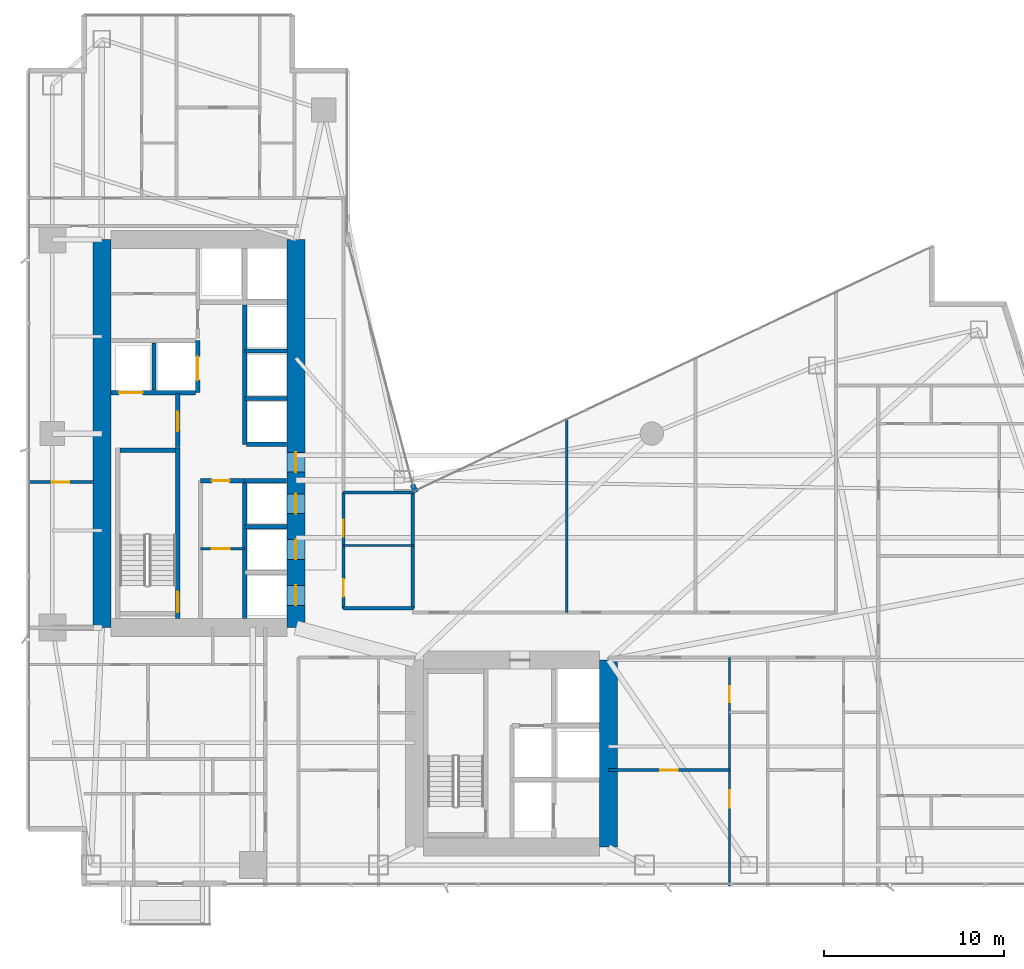
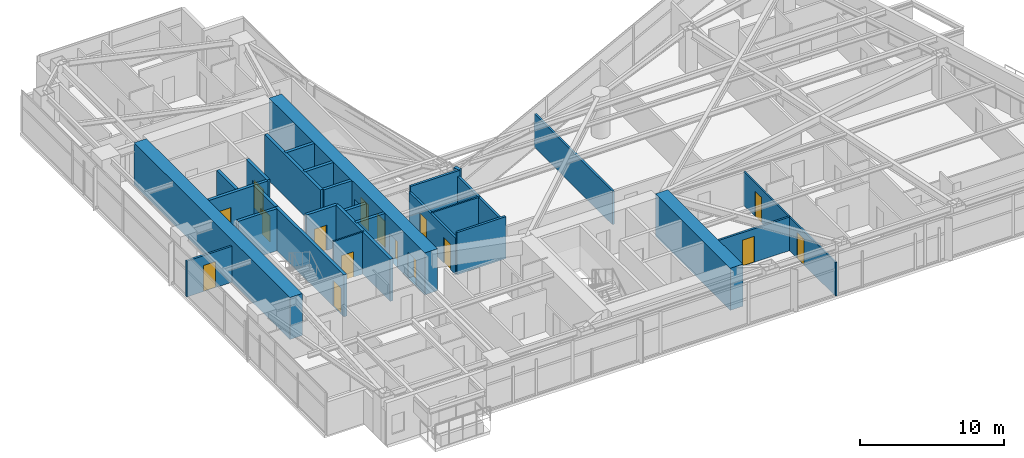
# One storey, part 23 of 29: 28 walls, 16 doors, 16 openings.
"""IFC4 building model written with IfcOpenShell, lengths in metres."""

from ifc_helpers import new_model, si_unit, direction, frame, frame_2d, origin, place, context, subcontext, project, spatial, rectangle, extrude, material, layer, layer_set, type_object, element, fill, save


model = new_model("IFC4")

# Units and contexts
model_context = context("Model", 3, precision=1e-05, world=origin(), true_north=direction((0.0, 1.0)))
body_context = subcontext(model_context, "Body", "Model", "MODEL_VIEW")
ifc_project = project(units=[si_unit("LENGTHUNIT", "METRE"), si_unit("AREAUNIT", "SQUARE_METRE"), si_unit("VOLUMEUNIT", "CUBIC_METRE"), si_unit("PLANEANGLEUNIT", "RADIAN"), si_unit("MASSUNIT", "GRAM", prefix="KILO")], contexts=[model_context])

# Site, building, storey
site_placement = place(None, origin())
site = spatial("IfcSite", under=ifc_project, at=site_placement, CompositionType="ELEMENT")
building_placement = place(site_placement, origin())
building = spatial("IfcBuilding", under=site, at=building_placement, Name="Calvorn Quay Hotel", CompositionType="ELEMENT")
storey_placement = place(building_placement, frame((0.0, 0.0, 38.39990234375)))
storey = spatial("IfcBuildingStorey", under=building, at=storey_placement, Name="L08", CompositionType="ELEMENT", Elevation=38.39990234375)

# Wall
ifc_material_1 = material(Name="Concrete C60", Category="concrete")
ifc_layer_1 = layer(ifc_material_1, 1.0)
ifc_layer_set_1 = layer_set([ifc_layer_1], Name="WL-CORE-1000")
wall_type_1 = type_object("IfcWallType", Name="WL-CORE-1000", PredefinedType="SHEAR", material=ifc_layer_set_1)
wall_1_placement = place(storey_placement, frame((4.199951171875, 16.800048828125, 0.0), z_axis=(0.0, 0.0, 1.0), x_axis=(0.0, 1.0, 0.0)))
element("IfcWall", 1, at=wall_1_placement, inside=storey, type_object=wall_type_1, Name="West Core Shear Wall W (L08)", PredefinedType="SHEAR", context=body_context, shape_type="SweptSolid", body=[
    extrude(rectangle(XDim=21.599853515625, YDim=1.0, at=frame_2d((10.7998046875, 0.0))), origin(), (0.0, 0.0, 1.0), 3.56005859375),
])

# Wall, openings, doors
wall_2_placement = place(storey_placement, frame((15.0, 16.800048828125, 0.0), z_axis=(0.0, 0.0, 1.0), x_axis=(0.0, 1.0, 0.0)))
wall_2 = element("IfcWall", 2, at=wall_2_placement, inside=storey, type_object=wall_type_1, Name="West Core Shear Wall E (L08)", PredefinedType="SHEAR", context=body_context, shape_type="SweptSolid", body=[
    extrude(rectangle(XDim=21.599853515625, YDim=1.0, at=frame_2d((10.7998046875, 0.0))), origin(), (0.0, 0.0, 1.0), 3.56005859375),
])
opening_1_placement = place(wall_2_placement, frame((8.64990234375, 0.0, 0.0)))
opening_1 = element("IfcOpeningElement", 3, at=opening_1_placement, cuts=wall_2, Name="Opening D-L08-CW1", PredefinedType="OPENING", context=body_context, shape_type="SweptSolid", body=[
    extrude(rectangle(XDim=1.10009765625, YDim=2.199951171875, at=frame_2d((0.550048828125, 1.10009765625))), frame((0.0, 0.510009765625, 0.0), z_axis=(0.0, -1.0, 0.0), x_axis=(1.0, 0.0, 0.0)), (0.0, 0.0, 1.0), 1.02001953125),
])
opening_2_placement = place(wall_2_placement, frame((1.25, 0.0, 0.0)))
opening_2 = element("IfcOpeningElement", 4, at=opening_2_placement, cuts=wall_2, Name="Opening LD-L08-L1", PredefinedType="OPENING", context=body_context, shape_type="SweptSolid", body=[
    extrude(rectangle(XDim=1.10009765625, YDim=2.199951171875, at=frame_2d((0.550048828125, 1.10009765625))), frame((0.0, 0.510009765625, 0.0), z_axis=(0.0, -1.0, 0.0), x_axis=(1.0, 0.0, 0.0)), (0.0, 0.0, 1.0), 1.02001953125),
])
opening_3_placement = place(wall_2_placement, frame((3.800048828125, 0.0, 0.0)))
opening_3 = element("IfcOpeningElement", 5, at=opening_3_placement, cuts=wall_2, Name="Opening LD-L08-L2", PredefinedType="OPENING", context=body_context, shape_type="SweptSolid", body=[
    extrude(rectangle(XDim=1.10009765625, YDim=2.199951171875, at=frame_2d((0.550048828125, 1.10009765625))), frame((0.0, 0.510009765625, 0.0), z_axis=(0.0, -1.0, 0.0), x_axis=(1.0, 0.0, 0.0)), (0.0, 0.0, 1.0), 1.02001953125),
])
opening_4_placement = place(wall_2_placement, frame((6.35009765625, 0.0, 0.0)))
opening_4 = element("IfcOpeningElement", 6, at=opening_4_placement, cuts=wall_2, Name="Opening LD-L08-L3", PredefinedType="OPENING", context=body_context, shape_type="SweptSolid", body=[
    extrude(rectangle(XDim=1.10009765625, YDim=2.199951171875, at=frame_2d((0.550048828125, 1.10009765625))), frame((0.0, 0.510009765625, 0.0), z_axis=(0.0, -1.0, 0.0), x_axis=(1.0, 0.0, 0.0)), (0.0, 0.0, 1.0), 1.02001953125),
])
ifc_material_2 = material(Name="Smoke-Sealed Steel Class A Fire Door", Category="steel")
door_type_1 = type_object("IfcDoorType", Name="DR-FFLOBBY-1100", OperationType="NOTDEFINED", PredefinedType="DOOR", material=ifc_material_2)
door_1_placement = place(opening_1_placement, origin())
door_1 = element("IfcDoor", 7, at=door_1_placement, inside=storey, type_object=door_type_1, Name="West Core Vestibule Fire Door (L08)", OperationType="SINGLE_SWING_LEFT", OverallHeight=2.199951171875, OverallWidth=1.10009765625, PredefinedType="DOOR", context=body_context, shape_type="SweptSolid", body=[
    extrude(rectangle(XDim=1.10009765625, YDim=2.199951171875, at=frame_2d((0.550048828125, 1.10009765625))), frame((0.0, 0.02490234375, 0.0), z_axis=(0.0, -1.0, 0.0), x_axis=(1.0, 0.0, 0.0)), (0.0, 0.0, 1.0), 0.050048828125),
])
fill(opening_1, door_1)
ifc_material_3 = material(Name="Brushed Stainless Steel Sliding Lift Landing Door", Category="steel")
door_type_2 = type_object("IfcDoorType", Name="DR-LIFT-PASS-1100", OperationType="NOTDEFINED", PredefinedType="DOOR", material=ifc_material_3)
door_2_placement = place(opening_2_placement, origin())
door_2 = element("IfcDoor", 8, at=door_2_placement, inside=storey, type_object=door_type_2, Name="Low-Rise Lift PL-L1 Landing Door (L08)", OperationType="DOUBLE_DOOR_SLIDING", OverallHeight=2.199951171875, OverallWidth=1.10009765625, PredefinedType="DOOR", context=body_context, shape_type="SweptSolid", body=[
    extrude(rectangle(XDim=1.10009765625, YDim=2.199951171875, at=frame_2d((0.550048828125, 1.10009765625))), frame((0.0, 0.02490234375, 0.0), z_axis=(0.0, -1.0, 0.0), x_axis=(1.0, 0.0, 0.0)), (0.0, 0.0, 1.0), 0.050048828125),
])
fill(opening_2, door_2)
door_3_placement = place(opening_3_placement, origin())
door_3 = element("IfcDoor", 9, at=door_3_placement, inside=storey, type_object=door_type_2, Name="Low-Rise Lift PL-L2 Landing Door (L08)", OperationType="DOUBLE_DOOR_SLIDING", OverallHeight=2.199951171875, OverallWidth=1.10009765625, PredefinedType="DOOR", context=body_context, shape_type="SweptSolid", body=[
    extrude(rectangle(XDim=1.10009765625, YDim=2.199951171875, at=frame_2d((0.550048828125, 1.10009765625))), frame((0.0, 0.02490234375, 0.0), z_axis=(0.0, -1.0, 0.0), x_axis=(1.0, 0.0, 0.0)), (0.0, 0.0, 1.0), 0.050048828125),
])
fill(opening_3, door_3)
door_4_placement = place(opening_4_placement, origin())
door_4 = element("IfcDoor", 10, at=door_4_placement, inside=storey, type_object=door_type_2, Name="Low-Rise Lift PL-L3 Landing Door (L08)", OperationType="DOUBLE_DOOR_SLIDING", OverallHeight=2.199951171875, OverallWidth=1.10009765625, PredefinedType="DOOR", context=body_context, shape_type="SweptSolid", body=[
    extrude(rectangle(XDim=1.10009765625, YDim=2.199951171875, at=frame_2d((0.550048828125, 1.10009765625))), frame((0.0, 0.02490234375, 0.0), z_axis=(0.0, -1.0, 0.0), x_axis=(1.0, 0.0, 0.0)), (0.0, 0.0, 1.0), 0.050048828125),
])
fill(opening_4, door_4)

# Walls
wall_3_placement = place(storey_placement, frame((32.39990234375, 4.60009765625, 0.0), z_axis=(0.0, 0.0, 1.0), x_axis=(0.0, 1.0, 0.0)))
element("IfcWall", 11, at=wall_3_placement, inside=storey, type_object=wall_type_1, Name="East Core Shear Wall E (L08)", PredefinedType="SHEAR", context=body_context, shape_type="SweptSolid", body=[
    extrude(rectangle(XDim=10.39990234375, YDim=1.0, at=frame_2d((5.199951171875, 0.0))), origin(), (0.0, 0.0, 1.0), 3.56005859375),
])
ifc_material_4 = material(Name="Acoustic Fireboard Steel-Stud Partition", Category="steel")
ifc_layer_2 = layer(ifc_material_4, 0.179931640625)
ifc_layer_set_2 = layer_set([ifc_layer_2], Name="WL-CORR-FIRE-180")
wall_type_2 = type_object("IfcWallType", Name="WL-CORR-FIRE-180", PredefinedType="PARTITIONING", material=ifc_layer_set_2)
wall_4_placement = place(storey_placement, frame((17.64990234375, 17.8798828125, 0.0), z_axis=(0.0, 0.0, 1.0), x_axis=(1.0, 0.0, 0.0)))
element("IfcWall", 12, at=wall_4_placement, inside=storey, type_object=wall_type_2, Name="Partition Wall L08-WL-HK-S", PredefinedType="PARTITIONING", context=body_context, shape_type="SweptSolid", body=[
    extrude(rectangle(XDim=3.900146484375, YDim=0.179931640625, at=frame_2d((1.9501953125, 0.0))), origin(), (0.0, 0.0, 1.0), 3.56005859375),
])
wall_5_placement = place(storey_placement, frame((17.64990234375, 24.320068359375, 0.0), z_axis=(0.0, 0.0, 1.0), x_axis=(1.0, 0.0, 0.0)))
element("IfcWall", 13, at=wall_5_placement, inside=storey, type_object=wall_type_2, Name="Partition Wall L08-WL-HK-N", PredefinedType="PARTITIONING", context=body_context, shape_type="SweptSolid", body=[
    extrude(rectangle(XDim=3.9501953125, YDim=0.179931640625, at=frame_2d((1.97509765625, 0.0))), origin(), (0.0, 0.0, 1.0), 3.56005859375),
])
wall_6_placement = place(storey_placement, frame((21.5, 17.8798828125, 0.0), z_axis=(0.0, 0.0, 1.0), x_axis=(0.0, 1.0, 0.0)))
element("IfcWall", 14, at=wall_6_placement, inside=storey, type_object=wall_type_2, Name="Partition Wall L08-WL-HK-E", PredefinedType="PARTITIONING", context=body_context, shape_type="SweptSolid", body=[
    extrude(rectangle(XDim=6.440185546875, YDim=0.179931640625, at=frame_2d((3.22021484375, 0.0))), origin(), (0.0, 0.0, 1.0), 3.090087890625),
])

# Wall, openings, doors
wall_7_placement = place(storey_placement, frame((17.64990234375, 17.8798828125, 0.0), z_axis=(0.0, 0.0, 1.0), x_axis=(0.0, 1.0, 0.0)))
wall_7 = element("IfcWall", 15, at=wall_7_placement, inside=storey, type_object=wall_type_2, Name="Partition Wall L08-WL-HK-W", PredefinedType="PARTITIONING", context=body_context, shape_type="SweptSolid", body=[
    extrude(rectangle(XDim=6.440185546875, YDim=0.179931640625, at=frame_2d((3.22021484375, 0.0))), origin(), (0.0, 0.0, 1.0), 3.090087890625),
])
opening_5_placement = place(wall_7_placement, frame((0.64990234375, 0.0, 0.0)))
opening_5 = element("IfcOpeningElement", 16, at=opening_5_placement, cuts=wall_7, Name="Opening D-L08-HK", PredefinedType="OPENING", context=body_context, shape_type="SweptSolid", body=[
    extrude(rectangle(XDim=0.97998046875, YDim=2.14990234375, at=frame_2d((0.489990234375, 1.074951171875))), frame((0.0, 0.099853515625, 0.0), z_axis=(0.0, -1.0, 0.0), x_axis=(1.0, 0.0, 0.0)), (0.0, 0.0, 1.0), 0.199951171875),
])
opening_6_placement = place(wall_7_placement, frame((3.969970703125, 0.0, 0.0)))
opening_6 = element("IfcOpeningElement", 17, at=opening_6_placement, cuts=wall_7, Name="Opening D-L08-NCP", PredefinedType="OPENING", context=body_context, shape_type="SweptSolid", body=[
    extrude(rectangle(XDim=0.9599609375, YDim=2.199951171875, at=frame_2d((0.47998046875, 1.10009765625))), frame((0.0, 0.099853515625, 0.0), z_axis=(0.0, -1.0, 0.0), x_axis=(1.0, 0.0, 0.0)), (0.0, 0.0, 1.0), 0.199951171875),
])
ifc_material_5 = material(Name="Painted Steel Housekeeping/Riser Fire Door", Category="steel")
door_type_3 = type_object("IfcDoorType", Name="DR-SERVICE-980", OperationType="NOTDEFINED", PredefinedType="DOOR", material=ifc_material_5)
door_5_placement = place(opening_5_placement, origin())
door_5 = element("IfcDoor", 18, at=door_5_placement, inside=storey, type_object=door_type_3, Name="Floor Housekeeping Door (L08)", OperationType="SINGLE_SWING_LEFT", OverallHeight=2.14990234375, OverallWidth=0.97998046875, PredefinedType="DOOR", context=body_context, shape_type="SweptSolid", body=[
    extrude(rectangle(XDim=0.97998046875, YDim=2.14990234375, at=frame_2d((0.489990234375, 1.074951171875))), frame((0.0, 0.02490234375, 0.0), z_axis=(0.0, -1.0, 0.0), x_axis=(1.0, 0.0, 0.0)), (0.0, 0.0, 1.0), 0.050048828125),
])
fill(opening_5, door_5)
ifc_material_6 = material(Name="Solid Timber Internal Suite Door", Category="wood")
door_type_4 = type_object("IfcDoorType", Name="DR-SUITE-INT-960", OperationType="NOTDEFINED", PredefinedType="DOOR", material=ifc_material_6)
door_6_placement = place(opening_6_placement, origin())
door_6 = element("IfcDoor", 19, at=door_6_placement, inside=storey, type_object=door_type_4, Name="Reading Alcove Door (L08)", OperationType="SINGLE_SWING_RIGHT", OverallHeight=2.199951171875, OverallWidth=0.9599609375, PredefinedType="DOOR", context=body_context, shape_type="SweptSolid", body=[
    extrude(rectangle(XDim=0.9599609375, YDim=2.199951171875, at=frame_2d((0.47998046875, 1.10009765625))), frame((0.0, 0.02490234375, 0.0), z_axis=(0.0, -1.0, 0.0), x_axis=(1.0, 0.0, 0.0)), (0.0, 0.0, 1.0), 0.050048828125),
])
fill(opening_6, door_6)

# Wall, opening, door
ifc_material_7 = material(Name="Moisture-Resistant Tile-Backed Partition")
ifc_layer_3 = layer(ifc_material_7, 0.125)
ifc_layer_set_3 = layer_set([ifc_layer_3], Name="WL-ENSUITE-125")
wall_type_3 = type_object("IfcWallType", Name="WL-ENSUITE-125", PredefinedType="PARTITIONING", material=ifc_layer_set_3)
wall_8_placement = place(storey_placement, frame((9.679931640625, 21.199951171875, 0.0), z_axis=(0.0, 0.0, 1.0), x_axis=(1.0, 0.0, 0.0)))
wall_8 = element("IfcWall", 20, at=wall_8_placement, inside=storey, type_object=wall_type_3, Name="Partition Wall L08-WL-CWW-SER-M", PredefinedType="PARTITIONING", context=body_context, shape_type="SweptSolid", body=[
    extrude(rectangle(XDim=2.469970703125, YDim=0.125, at=frame_2d((1.23486328125, 0.0))), origin(), (0.0, 0.0, 1.0), 3.56005859375),
])
opening_7_placement = place(wall_8_placement, frame((0.64990234375, 0.0, 0.0)))
opening_7 = element("IfcOpeningElement", 21, at=opening_7_placement, cuts=wall_8, Name="Opening D-L08-CSM", PredefinedType="OPENING", context=body_context, shape_type="SweptSolid", body=[
    extrude(rectangle(XDim=0.97998046875, YDim=2.14990234375, at=frame_2d((0.489990234375, 1.074951171875))), frame((0.0, 0.072509765625, 0.0), z_axis=(0.0, -1.0, 0.0), x_axis=(1.0, 0.0, 0.0)), (0.0, 0.0, 1.0), 0.14501953125),
])
door_7_placement = place(opening_7_placement, origin())
door_7 = element("IfcDoor", 22, at=door_7_placement, inside=storey, type_object=door_type_3, Name="Core Valet Pantry Door (L08)", OperationType="SINGLE_SWING_LEFT", OverallHeight=2.14990234375, OverallWidth=0.97998046875, PredefinedType="DOOR", context=body_context, shape_type="SweptSolid", body=[
    extrude(rectangle(XDim=0.97998046875, YDim=2.14990234375, at=frame_2d((0.489990234375, 1.074951171875))), frame((0.0, 0.02490234375, 0.0), z_axis=(0.0, -1.0, 0.0), x_axis=(1.0, 0.0, 0.0)), (0.0, 0.0, 1.0), 0.050048828125),
])
fill(opening_7, door_7)

# Wall
wall_9_placement = place(storey_placement, frame((17.64990234375, 21.3798828125, 0.0), z_axis=(0.0, 0.0, 1.0), x_axis=(1.0, 0.0, 0.0)))
element("IfcWall", 23, at=wall_9_placement, inside=storey, type_object=wall_type_3, Name="Partition Wall L08-WL-HK-M", PredefinedType="PARTITIONING", context=body_context, shape_type="SweptSolid", body=[
    extrude(rectangle(XDim=3.900146484375, YDim=0.125, at=frame_2d((1.9501953125, 0.0))), origin(), (0.0, 0.0, 1.0), 3.090087890625),
])

# Wall, openings, doors
wall_10_placement = place(storey_placement, frame((39.1201171875, 2.43994140625, 0.0), z_axis=(0.0, 0.0, 1.0), x_axis=(0.0, 1.0, 0.0)))
wall_10 = element("IfcWall", 24, at=wall_10_placement, inside=storey, type_object=wall_type_3, Name="Partition Wall L08-WL-U06-BV", PredefinedType="PARTITIONING", context=body_context, shape_type="SweptSolid", body=[
    extrude(rectangle(XDim=12.7099609375, YDim=0.125, at=frame_2d((6.35498046875, 0.0))), origin(), (0.0, 0.0, 1.0), 2.840087890625),
])
opening_8_placement = place(wall_10_placement, frame((4.35009765625, 0.0, 0.0)))
opening_8 = element("IfcOpeningElement", 25, at=opening_8_placement, cuts=wall_10, Name="Opening D-L08-S06", PredefinedType="OPENING", context=body_context, shape_type="SweptSolid", body=[
    extrude(rectangle(XDim=0.9599609375, YDim=2.199951171875, at=frame_2d((0.47998046875, 1.10009765625))), frame((0.0, 0.072509765625, 0.0), z_axis=(0.0, -1.0, 0.0), x_axis=(1.0, 0.0, 0.0)), (0.0, 0.0, 1.0), 0.14501953125),
])
opening_9_placement = place(wall_10_placement, frame((10.2099609375, 0.0, 0.0)))
opening_9 = element("IfcOpeningElement", 26, at=opening_9_placement, cuts=wall_10, Name="Opening D-L08-E06", PredefinedType="OPENING", context=body_context, shape_type="SweptSolid", body=[
    extrude(rectangle(XDim=0.89990234375, YDim=2.14990234375, at=frame_2d((0.449951171875, 1.074951171875))), frame((0.0, 0.072509765625, 0.0), z_axis=(0.0, -1.0, 0.0), x_axis=(1.0, 0.0, 0.0)), (0.0, 0.0, 1.0), 0.14501953125),
])
ifc_material_8 = material(Name="Moisture-Sealed Timber En-Suite Door", Category="wood")
door_type_5 = type_object("IfcDoorType", Name="DR-ENSUITE-900", OperationType="NOTDEFINED", PredefinedType="DOOR", material=ifc_material_8)
door_8_placement = place(opening_9_placement, origin())
door_8 = element("IfcDoor", 27, at=door_8_placement, inside=storey, type_object=door_type_5, Name="En-Suite Door 06", OperationType="SINGLE_SWING_RIGHT", OverallHeight=2.14990234375, OverallWidth=0.89990234375, PredefinedType="DOOR", context=body_context, shape_type="SweptSolid", body=[
    extrude(rectangle(XDim=0.89990234375, YDim=2.14990234375, at=frame_2d((0.449951171875, 1.074951171875))), frame((0.0, 0.02490234375, 0.0), z_axis=(0.0, -1.0, 0.0), x_axis=(1.0, 0.0, 0.0)), (0.0, 0.0, 1.0), 0.050048828125),
])
fill(opening_9, door_8)
door_9_placement = place(opening_8_placement, origin())
door_9 = element("IfcDoor", 28, at=door_9_placement, inside=storey, type_object=door_type_4, Name="Harbour Tea Room Door 06", OperationType="SINGLE_SWING_LEFT", OverallHeight=2.199951171875, OverallWidth=0.9599609375, PredefinedType="DOOR", context=body_context, shape_type="SweptSolid", body=[
    extrude(rectangle(XDim=0.9599609375, YDim=2.199951171875, at=frame_2d((0.47998046875, 1.10009765625))), frame((0.0, 0.02490234375, 0.0), z_axis=(0.0, -1.0, 0.0), x_axis=(1.0, 0.0, 0.0)), (0.0, 0.0, 1.0), 0.050048828125),
])
fill(opening_8, door_9)

# Wall
ifc_material_9 = material(Name="Concrete C40", Category="concrete")
ifc_layer_4 = layer(ifc_material_9, 0.320068359375)
ifc_layer_set_4 = layer_set([ifc_layer_4], Name="WL-EXT-SPANDREL-320")
wall_type_4 = type_object("IfcWallType", Name="WL-EXT-SPANDREL-320", PredefinedType="SOLIDWALL", material=ifc_layer_set_4)
wall_11_placement = place(storey_placement, frame((21.679931640625, 24.340087890625, 0.0), z_axis=(0.0, 0.0, 1.0), x_axis=(-0.40758134973, 0.913168901875, 0.0)))
element("IfcWall", 29, at=wall_11_placement, inside=storey, type_object=wall_type_4, Name="Inner Court Corner Pier L08-ICJ1", PredefinedType="SOLIDWALL", context=body_context, shape_type="SweptSolid", body=[
    extrude(rectangle(XDim=0.470703125, YDim=0.280029296875, at=frame_2d((0.2353515625, 0.0))), origin(), (0.0, 0.0, 1.0), 3.56005859375),
])

# Wall, opening, door
ifc_material_10 = material(Name="Double-Stud Acoustic Gypsum Partition")
ifc_layer_5 = layer(ifc_material_10, 0.159912109375)
ifc_layer_set_5 = layer_set([ifc_layer_5], Name="WL-INTERSUITE-160")
wall_type_5 = type_object("IfcWallType", Name="WL-INTERSUITE-160", PredefinedType="PARTITIONING", material=ifc_layer_set_5)
wall_12_placement = place(storey_placement, frame((0.080078125, 24.89990234375, 0.0), z_axis=(0.0, 0.0, 1.0), x_axis=(1.0, 0.0, 0.0)))
wall_12 = element("IfcWall", 30, at=wall_12_placement, inside=storey, type_object=wall_type_5, Name="Partition Wall L08-WL-WBAY-DIV", PredefinedType="PARTITIONING", context=body_context, shape_type="SweptSolid", body=[
    extrude(rectangle(XDim=3.64990234375, YDim=0.159912109375, at=frame_2d((1.824951171875, 0.0))), origin(), (0.0, 0.0, 1.0), 3.0400390625),
])
opening_10_placement = place(wall_12_placement, frame((1.35009765625, 0.0, 0.0)))
opening_10 = element("IfcOpeningElement", 31, at=opening_10_placement, cuts=wall_12, Name="Opening D-L08-WBD", PredefinedType="OPENING", context=body_context, shape_type="SweptSolid", body=[
    extrude(rectangle(XDim=0.9599609375, YDim=2.199951171875, at=frame_2d((0.47998046875, 1.10009765625))), frame((0.0, 0.08984375, 0.0), z_axis=(0.0, -1.0, 0.0), x_axis=(1.0, 0.0, 0.0)), (0.0, 0.0, 1.0), 0.179931640625),
])
door_10_placement = place(opening_10_placement, origin())
door_10 = element("IfcDoor", 32, at=door_10_placement, inside=storey, type_object=door_type_4, Name="West Bay Connecting Door (L08)", OperationType="SINGLE_SWING_LEFT", OverallHeight=2.199951171875, OverallWidth=0.9599609375, PredefinedType="DOOR", context=body_context, shape_type="SweptSolid", body=[
    extrude(rectangle(XDim=0.9599609375, YDim=2.199951171875, at=frame_2d((0.47998046875, 1.10009765625))), frame((0.0, 0.02490234375, 0.0), z_axis=(0.0, -1.0, 0.0), x_axis=(1.0, 0.0, 0.0)), (0.0, 0.0, 1.0), 0.050048828125),
])
fill(opening_10, door_10)

wall_13_placement = place(storey_placement, frame((32.39990234375, 8.8798828125, 0.0), z_axis=(0.0, 0.0, 1.0), x_axis=(1.0, 0.0, 0.0)))
wall_13 = element("IfcWall", 33, at=wall_13_placement, inside=storey, type_object=wall_type_5, Name="Partition Wall L08-WL-U06-MSP", PredefinedType="PARTITIONING", context=body_context, shape_type="SweptSolid", body=[
    extrude(rectangle(XDim=6.72021484375, YDim=0.159912109375, at=frame_2d((3.360107421875, 0.0))), origin(), (0.0, 0.0, 1.0), 2.840087890625),
])
opening_11_placement = place(wall_13_placement, frame((2.8798828125, 0.0, 0.0)))
opening_11 = element("IfcOpeningElement", 34, at=opening_11_placement, cuts=wall_13, Name="Opening D-L08-M06", PredefinedType="OPENING", context=body_context, shape_type="SweptSolid", body=[
    extrude(rectangle(XDim=0.9599609375, YDim=2.199951171875, at=frame_2d((0.47998046875, 1.10009765625))), frame((0.0, 0.08984375, 0.0), z_axis=(0.0, -1.0, 0.0), x_axis=(1.0, 0.0, 0.0)), (0.0, 0.0, 1.0), 0.179931640625),
])
door_11_placement = place(opening_11_placement, origin())
door_11 = element("IfcDoor", 35, at=door_11_placement, inside=storey, type_object=door_type_4, Name="Suite Bedroom Door 06", OperationType="SINGLE_SWING_LEFT", OverallHeight=2.199951171875, OverallWidth=0.9599609375, PredefinedType="DOOR", context=body_context, shape_type="SweptSolid", body=[
    extrude(rectangle(XDim=0.9599609375, YDim=2.199951171875, at=frame_2d((0.47998046875, 1.10009765625))), frame((0.0, 0.02490234375, 0.0), z_axis=(0.0, -1.0, 0.0), x_axis=(1.0, 0.0, 0.0)), (0.0, 0.0, 1.0), 0.050048828125),
])
fill(opening_11, door_11)

# Wall
wall_14_placement = place(storey_placement, frame((30.070068359375, 17.64990234375, 0.0), z_axis=(0.0, 0.0, 1.0), x_axis=(0.0, 1.0, 0.0)))
element("IfcWall", 36, at=wall_14_placement, inside=storey, type_object=wall_type_5, Name="Partition Wall L08-WL-NE-DIV-1", PredefinedType="PARTITIONING", context=body_context, shape_type="SweptSolid", body=[
    extrude(rectangle(XDim=10.830078125, YDim=0.159912109375, at=frame_2d((5.4150390625, 0.0))), origin(), (0.0, 0.0, 1.0), 2.840087890625),
])

# Wall, opening, door
ifc_material_11 = material(Name="Concrete C40", Category="concrete")
ifc_layer_6 = layer(ifc_material_11, 0.239990234375)
ifc_layer_set_6 = layer_set([ifc_layer_6], Name="WL-SHAFT-240")
wall_type_6 = type_object("IfcWallType", Name="WL-SHAFT-240", PredefinedType="SOLIDWALL", material=ifc_layer_set_6)
wall_15_placement = place(storey_placement, frame((8.419921875, 17.300048828125, 0.0), z_axis=(0.0, 0.0, 1.0), x_axis=(0.0, 1.0, 0.0)))
wall_15 = element("IfcWall", 37, at=wall_15_placement, inside=storey, type_object=wall_type_6, Name="Stair STW Shaft Wall E (L08)", PredefinedType="SOLIDWALL", context=body_context, shape_type="SweptSolid", body=[
    extrude(rectangle(XDim=9.489990234375, YDim=0.239990234375, at=frame_2d((4.7451171875, 0.0))), origin(), (0.0, 0.0, 1.0), 3.56005859375),
])
opening_12_placement = place(wall_15_placement, frame((0.35009765625, 0.0, 0.0)))
opening_12 = element("IfcOpeningElement", 38, at=opening_12_placement, cuts=wall_15, Name="Opening D-L08-STW", PredefinedType="OPENING", context=body_context, shape_type="SweptSolid", body=[
    extrude(rectangle(XDim=1.14990234375, YDim=2.199951171875, at=frame_2d((0.574951171875, 1.10009765625))), frame((0.0, 0.1298828125, 0.0), z_axis=(0.0, -1.0, 0.0), x_axis=(1.0, 0.0, 0.0)), (0.0, 0.0, 1.0), 0.260009765625),
])
ifc_material_12 = material(Name="Galvanised Steel Class A Fire Door", Category="steel")
door_type_6 = type_object("IfcDoorType", Name="DR-STAIR-SMOKE-1150", OperationType="NOTDEFINED", PredefinedType="DOOR", material=ifc_material_12)
door_12_placement = place(opening_12_placement, origin())
door_12 = element("IfcDoor", 39, at=door_12_placement, inside=storey, type_object=door_type_6, Name="Stair ST-W Fire Door (L08)", OperationType="SINGLE_SWING_LEFT", OverallHeight=2.199951171875, OverallWidth=1.14990234375, PredefinedType="DOOR", context=body_context, shape_type="SweptSolid", body=[
    extrude(rectangle(XDim=1.14990234375, YDim=2.199951171875, at=frame_2d((0.574951171875, 1.10009765625))), frame((0.0, 0.02490234375, 0.0), z_axis=(0.0, -1.0, 0.0), x_axis=(1.0, 0.0, 0.0)), (0.0, 0.0, 1.0), 0.050048828125),
])
fill(opening_12, door_12)

# Walls
wall_16_placement = place(storey_placement, frame((5.199951171875, 26.669921875, 0.0), z_axis=(0.0, 0.0, 1.0), x_axis=(1.0, 0.0, 0.0)))
element("IfcWall", 40, at=wall_16_placement, inside=storey, type_object=wall_type_6, Name="Stair STW Shaft Wall N (L08)", PredefinedType="SOLIDWALL", context=body_context, shape_type="SweptSolid", body=[
    extrude(rectangle(XDim=3.10009765625, YDim=0.239990234375, at=frame_2d((1.550048828125, 0.0))), origin(), (0.0, 0.0, 1.0), 3.56005859375),
])
for number, where, z_axis, x_axis, name in (
    (41, (12.179931640625, 22.425048828125, 0.0), (0.0, 0.0, 1.0), (1.0, 0.0, 0.0), "Lift Hoistway Divider Wall PLL23 (L08)"),
    (42, (12.179931640625, 29.550048828125, 0.0), (0.0, 0.0, 1.0), (1.0, 0.0, 0.0), "Lift Hoistway Divider Wall PLM12 (L08)"),
    (43, (12.179931640625, 32.199951171875, 0.0), (0.0, 0.0, 1.0), (1.0, 0.0, 0.0), "Lift Hoistway Divider Wall PLM23 (L08)"),
):
    element("IfcWall", number, at=place(storey_placement, frame(where, z_axis=z_axis, x_axis=x_axis)), inside=storey, type_object=wall_type_6, Name=name, PredefinedType="SOLIDWALL", context=body_context, shape_type="SweptSolid", body=[
        extrude(rectangle(XDim=2.320068359375, YDim=0.239990234375, at=frame_2d((1.16015625, 0.0))), origin(), (0.0, 0.0, 1.0), 3.56005859375),
    ])

# Wall, opening, door
wall_17_placement = place(storey_placement, frame((8.419921875, 26.820068359375, 0.0), z_axis=(0.0, 0.0, 1.0), x_axis=(0.0, 1.0, 0.0)))
wall_17 = element("IfcWall", 44, at=wall_17_placement, inside=storey, type_object=wall_type_6, Name="Partition Wall L08-WL-CWW-FFL-E", PredefinedType="SOLIDWALL", context=body_context, shape_type="SweptSolid", body=[
    extrude(rectangle(XDim=3.0, YDim=0.239990234375, at=frame_2d((1.5, 0.0))), origin(), (0.0, 0.0, 1.0), 3.56005859375),
])
opening_13_placement = place(wall_17_placement, frame((0.89990234375, 0.0, 0.0)))
opening_13 = element("IfcOpeningElement", 45, at=opening_13_placement, cuts=wall_17, Name="Opening D-L08-FLW", PredefinedType="OPENING", context=body_context, shape_type="SweptSolid", body=[
    extrude(rectangle(XDim=1.10009765625, YDim=2.199951171875, at=frame_2d((0.550048828125, 1.10009765625))), frame((0.0, 0.1298828125, 0.0), z_axis=(0.0, -1.0, 0.0), x_axis=(1.0, 0.0, 0.0)), (0.0, 0.0, 1.0), 0.260009765625),
])
door_13_placement = place(opening_13_placement, origin())
door_13 = element("IfcDoor", 46, at=door_13_placement, inside=storey, type_object=door_type_1, Name="West Firefighting Lobby Fire Door (L08)", OperationType="SINGLE_SWING_RIGHT", OverallHeight=2.199951171875, OverallWidth=1.10009765625, PredefinedType="DOOR", context=body_context, shape_type="SweptSolid", body=[
    extrude(rectangle(XDim=1.10009765625, YDim=2.199951171875, at=frame_2d((0.550048828125, 1.10009765625))), frame((0.0, 0.02490234375, 0.0), z_axis=(0.0, -1.0, 0.0), x_axis=(1.0, 0.0, 0.0)), (0.0, 0.0, 1.0), 0.050048828125),
])
fill(opening_13, door_13)

wall_18_placement = place(storey_placement, frame((4.719970703125, 29.8798828125, 0.0), z_axis=(0.0, 0.0, 1.0), x_axis=(1.0, 0.0, 0.0)))
wall_18 = element("IfcWall", 47, at=wall_18_placement, inside=storey, type_object=wall_type_6, Name="Partition Wall L08-WL-CWW-FLW-S", PredefinedType="SOLIDWALL", context=body_context, shape_type="SweptSolid", body=[
    extrude(rectangle(XDim=4.699951171875, YDim=0.239990234375, at=frame_2d((2.35009765625, 0.0))), origin(), (0.0, 0.0, 1.0), 3.56005859375),
])
opening_14_placement = place(wall_18_placement, frame((0.449951171875, 0.0, 0.0)))
opening_14 = element("IfcOpeningElement", 48, at=opening_14_placement, cuts=wall_18, Name="Opening LD-L08-FLW1", PredefinedType="OPENING", context=body_context, shape_type="SweptSolid", body=[
    extrude(rectangle(XDim=1.300048828125, YDim=2.35009765625, at=frame_2d((0.64990234375, 1.175048828125))), frame((0.0, 0.1298828125, 0.0), z_axis=(0.0, -1.0, 0.0), x_axis=(1.0, 0.0, 0.0)), (0.0, 0.0, 1.0), 0.260009765625),
])
ifc_material_13 = material(Name="Champagne-Bronze Sliding Express Lift Landing Door")
door_type_7 = type_object("IfcDoorType", Name="DR-LIFT-SHUTTLE-1300", OperationType="NOTDEFINED", PredefinedType="DOOR", material=ifc_material_13)
door_14_placement = place(opening_14_placement, origin())
door_14 = element("IfcDoor", 49, at=door_14_placement, inside=storey, type_object=door_type_7, Name="Firefighting Lift FL-W1 Landing Door (L08)", OperationType="DOUBLE_DOOR_SLIDING", OverallHeight=2.35009765625, OverallWidth=1.300048828125, PredefinedType="DOOR", context=body_context, shape_type="SweptSolid", body=[
    extrude(rectangle(XDim=1.300048828125, YDim=2.35009765625, at=frame_2d((0.64990234375, 1.175048828125))), frame((0.0, 0.02490234375, 0.0), z_axis=(0.0, -1.0, 0.0), x_axis=(1.0, 0.0, 0.0)), (0.0, 0.0, 1.0), 0.050048828125),
])
fill(opening_14, door_14)

# Wall
wall_19_placement = place(storey_placement, frame((7.10009765625, 30.02001953125, 0.0), z_axis=(0.0, 0.0, 1.0), x_axis=(0.0, 1.0, 0.0)))
element("IfcWall", 50, at=wall_19_placement, inside=storey, type_object=wall_type_6, Name="Partition Wall L08-WL-CWW-FLW-DIV", PredefinedType="SOLIDWALL", context=body_context, shape_type="SweptSolid", body=[
    extrude(rectangle(XDim=2.6298828125, YDim=0.239990234375, at=frame_2d((1.31494140625, 0.0))), origin(), (0.0, 0.0, 1.0), 3.56005859375),
])

# Wall, opening, door
wall_20_placement = place(storey_placement, frame((9.5400390625, 29.8798828125, 0.0), z_axis=(0.0, 0.0, 1.0), x_axis=(0.0, 1.0, 0.0)))
wall_20 = element("IfcWall", 51, at=wall_20_placement, inside=storey, type_object=wall_type_6, Name="Partition Wall L08-WL-CWW-SLW-E", PredefinedType="SOLIDWALL", context=body_context, shape_type="SweptSolid", body=[
    extrude(rectangle(XDim=2.900146484375, YDim=0.239990234375, at=frame_2d((1.4501953125, 0.0))), origin(), (0.0, 0.0, 1.0), 3.56005859375),
])
opening_15_placement = place(wall_20_placement, frame((0.699951171875, 0.0, 0.0)))
opening_15 = element("IfcOpeningElement", 52, at=opening_15_placement, cuts=wall_20, Name="Opening LD-L08-SLW1", PredefinedType="OPENING", context=body_context, shape_type="SweptSolid", body=[
    extrude(rectangle(XDim=1.300048828125, YDim=2.35009765625, at=frame_2d((0.64990234375, 1.175048828125))), frame((0.0, 0.1298828125, 0.0), z_axis=(0.0, -1.0, 0.0), x_axis=(1.0, 0.0, 0.0)), (0.0, 0.0, 1.0), 0.260009765625),
])
door_15_placement = place(opening_15_placement, origin())
door_15 = element("IfcDoor", 53, at=door_15_placement, inside=storey, type_object=door_type_7, Name="Service Lift SL-W1 Landing Door (L08)", OperationType="DOUBLE_DOOR_SLIDING", OverallHeight=2.35009765625, OverallWidth=1.300048828125, PredefinedType="DOOR", context=body_context, shape_type="SweptSolid", body=[
    extrude(rectangle(XDim=1.300048828125, YDim=2.35009765625, at=frame_2d((0.64990234375, 1.175048828125))), frame((0.0, 0.02490234375, 0.0), z_axis=(0.0, -1.0, 0.0), x_axis=(1.0, 0.0, 0.0)), (0.0, 0.0, 1.0), 0.050048828125),
])
fill(opening_15, door_15)

# Wall
wall_21_placement = place(storey_placement, frame((12.14990234375, 17.320068359375, 0.0), z_axis=(0.0, 0.0, 1.0), x_axis=(0.0, 1.0, 0.0)))
element("IfcWall", 54, at=wall_21_placement, inside=storey, type_object=wall_type_6, Name="Partition Wall L08-WL-CWW-PLL-W", PredefinedType="SOLIDWALL", context=body_context, shape_type="SweptSolid", body=[
    extrude(rectangle(XDim=7.64990234375, YDim=0.239990234375, at=frame_2d((3.824951171875, 0.0))), origin(), (0.0, 0.0, 1.0), 3.56005859375),
])

# Wall, opening, door
wall_22_placement = place(storey_placement, frame((9.679931640625, 24.969970703125, 0.0), z_axis=(0.0, 0.0, 1.0), x_axis=(1.0, 0.0, 0.0)))
wall_22 = element("IfcWall", 55, at=wall_22_placement, inside=storey, type_object=wall_type_6, Name="Partition Wall L08-WL-CWW-SER-N", PredefinedType="SOLIDWALL", context=body_context, shape_type="SweptSolid", body=[
    extrude(rectangle(XDim=2.469970703125, YDim=0.239990234375, at=frame_2d((1.23486328125, 0.0))), origin(), (0.0, 0.0, 1.0), 3.56005859375),
])
opening_16_placement = place(wall_22_placement, frame((0.64990234375, 0.0, 0.0)))
opening_16 = element("IfcOpeningElement", 56, at=opening_16_placement, cuts=wall_22, Name="Opening D-L08-CSR", PredefinedType="OPENING", context=body_context, shape_type="SweptSolid", body=[
    extrude(rectangle(XDim=0.97998046875, YDim=2.14990234375, at=frame_2d((0.489990234375, 1.074951171875))), frame((0.0, 0.1298828125, 0.0), z_axis=(0.0, -1.0, 0.0), x_axis=(1.0, 0.0, 0.0)), (0.0, 0.0, 1.0), 0.260009765625),
])
door_16_placement = place(opening_16_placement, origin())
door_16 = element("IfcDoor", 57, at=door_16_placement, inside=storey, type_object=door_type_3, Name="Core Service Closet Door (L08)", OperationType="SINGLE_SWING_LEFT", OverallHeight=2.14990234375, OverallWidth=0.97998046875, PredefinedType="DOOR", context=body_context, shape_type="SweptSolid", body=[
    extrude(rectangle(XDim=0.97998046875, YDim=2.14990234375, at=frame_2d((0.489990234375, 1.074951171875))), frame((0.0, 0.02490234375, 0.0), z_axis=(0.0, -1.0, 0.0), x_axis=(1.0, 0.0, 0.0)), (0.0, 0.0, 1.0), 0.050048828125),
])
fill(opening_16, door_16)

# Walls
wall_23_placement = place(storey_placement, frame((12.14990234375, 24.969970703125, 0.0), z_axis=(0.0, 0.0, 1.0), x_axis=(1.0, 0.0, 0.0)))
element("IfcWall", 58, at=wall_23_placement, inside=storey, type_object=wall_type_6, Name="Partition Wall L08-WL-CWW-PLL-SHN", PredefinedType="SOLIDWALL", context=body_context, shape_type="SweptSolid", body=[
    extrude(rectangle(XDim=2.330078125, YDim=0.239990234375, at=frame_2d((1.1650390625, 0.0))), origin(), (0.0, 0.0, 1.0), 2.840087890625),
])
wall_24_placement = place(storey_placement, frame((12.25, 27.0, 0.0), z_axis=(0.0, 0.0, 1.0), x_axis=(1.0, 0.0, 0.0)))
element("IfcWall", 59, at=wall_24_placement, inside=storey, type_object=wall_type_6, Name="Partition Wall L08-WL-CWW-PLM-S", PredefinedType="SOLIDWALL", context=body_context, shape_type="SweptSolid", body=[
    extrude(rectangle(XDim=2.22998046875, YDim=0.239990234375, at=frame_2d((1.114990234375, 0.0))), origin(), (0.0, 0.0, 1.0), 3.56005859375),
])
wall_25_placement = place(storey_placement, frame((12.14990234375, 27.0, 0.0), z_axis=(0.0, 0.0, 1.0), x_axis=(0.0, 1.0, 0.0)))
element("IfcWall", 60, at=wall_25_placement, inside=storey, type_object=wall_type_6, Name="Partition Wall L08-WL-CWW-PLM-W", PredefinedType="SOLIDWALL", context=body_context, shape_type="SweptSolid", body=[
    extrude(rectangle(XDim=7.75, YDim=0.239990234375, at=frame_2d((3.875, 0.0))), origin(), (0.0, 0.0, 1.0), 3.56005859375),
])

save(model, "model.ifc")
